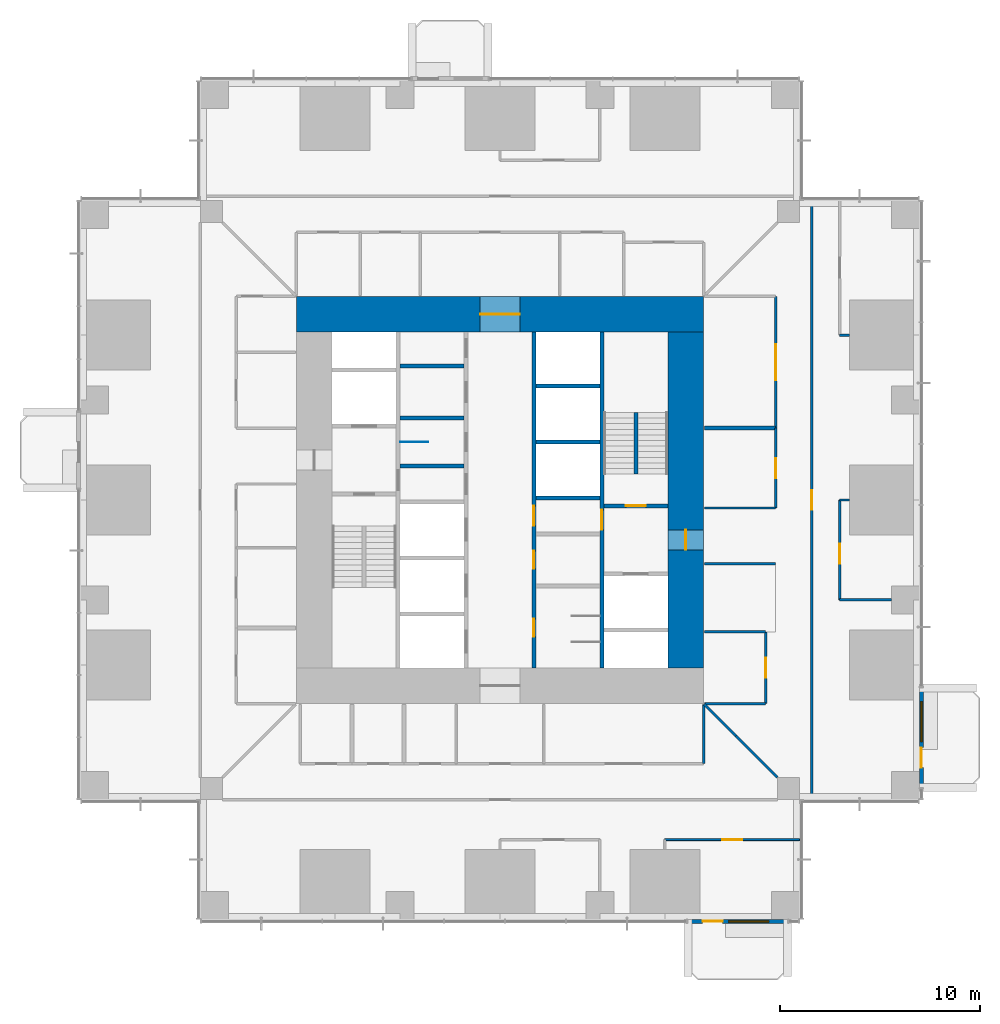
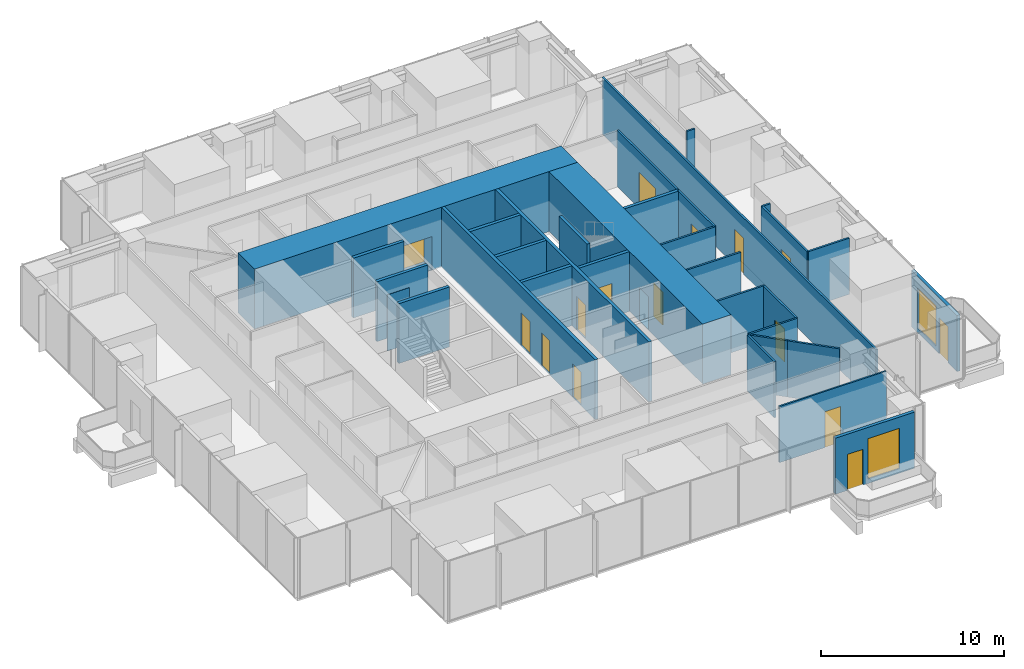
# One storey, part 11 of 15: 32 walls, 15 doors, 2 windows, 17 openings.
"""IFC4 building model written with IfcOpenShell, lengths in metres."""

from ifc_helpers import new_model, si_unit, direction, frame, frame_2d, origin, place, context, subcontext, project, spatial, rectangle, extrude, material, layer, layer_set, type_object, element, fill, save


model = new_model("IFC4")

# Units and contexts
model_context = context("Model", 3, precision=1e-05, world=origin(), true_north=direction((0.0, 1.0)))
body_context = subcontext(model_context, "Body", "Model", "MODEL_VIEW")
ifc_project = project(units=[si_unit("LENGTHUNIT", "METRE"), si_unit("AREAUNIT", "SQUARE_METRE"), si_unit("VOLUMEUNIT", "CUBIC_METRE"), si_unit("PLANEANGLEUNIT", "RADIAN"), si_unit("MASSUNIT", "GRAM", prefix="KILO")], contexts=[model_context])

# Site, building, storey
site_placement = place(None, origin())
site = spatial("IfcSite", under=ifc_project, at=site_placement, CompositionType="ELEMENT")
building_placement = place(site_placement, origin())
building = spatial("IfcBuilding", under=site, at=building_placement, Name="Svetlomir Tower", CompositionType="ELEMENT")
storey_placement = place(building_placement, frame((0.0, 0.0, 66.5)))
storey = spatial("IfcBuildingStorey", under=building, at=storey_placement, Name="L15", CompositionType="ELEMENT", Elevation=66.5)

# Wall
ifc_material_1 = material(Name="Gypsum board on twin steel studs", Category="steel")
ifc_layer_1 = layer(ifc_material_1, 0.199951171875)
ifc_layer_set_1 = layer_set([ifc_layer_1], Name="Gypsum board on twin steel studs")
wall_type_1 = type_object("IfcWallType", Name="ACOUSTIC PARTITION 200", PredefinedType="PARTITIONING", material=ifc_layer_set_1)
wall_1_placement = place(storey_placement, frame((31.25, 24.60009765625, 0.0), z_axis=(0.0, 0.0, 1.0), x_axis=(1.0, 0.0, 0.0)))
element("IfcWall", 1, at=wall_1_placement, inside=storey, type_object=wall_type_1, Name="Acoustic partition L15", PredefinedType="PARTITIONING", context=body_context, shape_type="SweptSolid", body=[
    extrude(rectangle(XDim=3.550048828125, YDim=0.199951171875, at=frame_2d((1.77490234375, 0.0))), origin(), (0.0, 0.0, 1.0), 3.75),
])

# Wall, openings, door, window
ifc_material_2 = material(Name="Bronze anodised aluminium glazed screen", Category="aluminium")
ifc_layer_2 = layer(ifc_material_2, 0.199951171875)
ifc_layer_set_2 = layer_set([ifc_layer_2], Name="Bronze anodised aluminium glazed screen")
wall_type_2 = type_object("IfcWallType", Name="BALCONY SCREEN WALL 200", PredefinedType="USERDEFINED", material=ifc_layer_set_2)
wall_2_placement = place(storey_placement, frame((30.39990234375, -0.10009765625, 0.0), z_axis=(0.0, 0.0, 1.0), x_axis=(1.0, 0.0, 0.0)))
wall_2 = element("IfcWall", 2, at=wall_2_placement, inside=storey, type_object=wall_type_2, Name="Balcony screen S", ObjectType="GLAZED SCREEN", PredefinedType="USERDEFINED", context=body_context, shape_type="SweptSolid", body=[
    extrude(rectangle(XDim=5.0, YDim=0.199951171875, at=frame_2d((2.5, 0.0))), origin(), (0.0, 0.0, 1.0), 3.75),
])
opening_1_placement = place(wall_2_placement, frame((0.75, 0.0, 0.0)))
opening_1 = element("IfcOpeningElement", 3, at=opening_1_placement, cuts=wall_2, Name="Opening BD", PredefinedType="OPENING", context=body_context, shape_type="SweptSolid", body=[
    extrude(rectangle(XDim=1.0, YDim=2.39990234375, at=frame_2d((0.5, 1.199951171875))), frame((0.0, 0.10986328125, 0.0), z_axis=(0.0, -1.0, 0.0), x_axis=(1.0, 0.0, 0.0)), (0.0, 0.0, 1.0), 0.219970703125),
])
opening_2_placement = place(wall_2_placement, frame((2.050048828125, 0.0, 0.300048828125)))
opening_2 = element("IfcOpeningElement", 4, at=opening_2_placement, cuts=wall_2, Name="Opening WS", PredefinedType="OPENING", context=body_context, shape_type="SweptSolid", body=[
    extrude(rectangle(XDim=2.0, YDim=2.699951171875, at=frame_2d((1.0, 1.35009765625))), frame((0.0, 0.10986328125, 0.0), z_axis=(0.0, -1.0, 0.0), x_axis=(1.0, 0.0, 0.0)), (0.0, 0.0, 1.0), 0.219970703125),
])
ifc_material_3 = material(Name="Bronze anodised aluminium glazed door", Category="aluminium")
door_type_1 = type_object("IfcDoorType", Name="BALCONY DOOR BD 1000x2400", OperationType="SINGLE_SWING_LEFT", PredefinedType="DOOR", material=ifc_material_3)
door_1_placement = place(opening_1_placement, origin())
door_1 = element("IfcDoor", 5, at=door_1_placement, inside=storey, type_object=door_type_1, Name="Balcony screen S door", OperationType="SINGLE_SWING_LEFT", OverallHeight=2.39990234375, OverallWidth=1.0, PredefinedType="DOOR", context=body_context, shape_type="SweptSolid", body=[
    extrude(rectangle(XDim=1.0, YDim=2.39990234375, at=frame_2d((0.5, 1.199951171875))), frame((0.0, 0.02490234375, 0.0), z_axis=(0.0, -1.0, 0.0), x_axis=(1.0, 0.0, 0.0)), (0.0, 0.0, 1.0), 0.050048828125),
])
fill(opening_1, door_1)
ifc_material_4 = material(Name="Bronze anodised aluminium window", Category="aluminium")
window_type = type_object("IfcWindowType", Name="SCREEN WINDOW WS 2000x2700", PartitioningType="SINGLE_PANEL", PredefinedType="WINDOW", material=ifc_material_4)
window_1_placement = place(opening_2_placement, origin())
window_1 = element("IfcWindow", 6, at=window_1_placement, inside=storey, type_object=window_type, Name="Balcony screen S window 1", OverallHeight=2.699951171875, OverallWidth=2.0, PartitioningType="SINGLE_PANEL", PredefinedType="WINDOW", context=body_context, shape_type="SweptSolid", body=[
    extrude(rectangle(XDim=2.0, YDim=2.699951171875, at=frame_2d((1.0, 1.35009765625))), frame((0.0, 0.030029296875, 0.0), z_axis=(0.0, -1.0, 0.0), x_axis=(1.0, 0.0, 0.0)), (0.0, 0.0, 1.0), 0.06005859375),
])
fill(opening_2, window_1)

wall_3_placement = place(storey_placement, frame((42.10009765625, 6.60009765625, 0.0), z_axis=(0.0, 0.0, 1.0), x_axis=(0.0, 1.0, 0.0)))
wall_3 = element("IfcWall", 7, at=wall_3_placement, inside=storey, type_object=wall_type_2, Name="Balcony screen E", ObjectType="GLAZED SCREEN", PredefinedType="USERDEFINED", context=body_context, shape_type="SweptSolid", body=[
    extrude(rectangle(XDim=5.0, YDim=0.199951171875, at=frame_2d((2.5, 0.0))), origin(), (0.0, 0.0, 1.0), 3.75),
])
opening_3_placement = place(wall_3_placement, frame((1.0, 0.0, 0.0)))
opening_3 = element("IfcOpeningElement", 8, at=opening_3_placement, cuts=wall_3, Name="Opening BD", PredefinedType="OPENING", context=body_context, shape_type="SweptSolid", body=[
    extrude(rectangle(XDim=1.0, YDim=2.39990234375, at=frame_2d((0.5, 1.199951171875))), frame((0.0, 0.10986328125, 0.0), z_axis=(0.0, -1.0, 0.0), x_axis=(1.0, 0.0, 0.0)), (0.0, 0.0, 1.0), 0.219970703125),
])
opening_4_placement = place(wall_3_placement, frame((2.300048828125, 0.0, 0.300048828125)))
opening_4 = element("IfcOpeningElement", 9, at=opening_4_placement, cuts=wall_3, Name="Opening WS", PredefinedType="OPENING", context=body_context, shape_type="SweptSolid", body=[
    extrude(rectangle(XDim=2.0, YDim=2.699951171875, at=frame_2d((1.0, 1.35009765625))), frame((0.0, 0.10986328125, 0.0), z_axis=(0.0, -1.0, 0.0), x_axis=(1.0, 0.0, 0.0)), (0.0, 0.0, 1.0), 0.219970703125),
])
door_2_placement = place(opening_3_placement, origin())
door_2 = element("IfcDoor", 10, at=door_2_placement, inside=storey, type_object=door_type_1, Name="Balcony screen E door", OperationType="SINGLE_SWING_LEFT", OverallHeight=2.39990234375, OverallWidth=1.0, PredefinedType="DOOR", context=body_context, shape_type="SweptSolid", body=[
    extrude(rectangle(XDim=1.0, YDim=2.39990234375, at=frame_2d((0.5, 1.199951171875))), frame((0.0, 0.02490234375, 0.0), z_axis=(0.0, -1.0, 0.0), x_axis=(1.0, 0.0, 0.0)), (0.0, 0.0, 1.0), 0.050048828125),
])
fill(opening_3, door_2)
window_2_placement = place(opening_4_placement, origin())
window_2 = element("IfcWindow", 11, at=window_2_placement, inside=storey, type_object=window_type, Name="Balcony screen E window 1", OverallHeight=2.699951171875, OverallWidth=2.0, PartitioningType="SINGLE_PANEL", PredefinedType="WINDOW", context=body_context, shape_type="SweptSolid", body=[
    extrude(rectangle(XDim=2.0, YDim=2.699951171875, at=frame_2d((1.0, 1.35009765625))), frame((0.0, 0.030029296875, 0.0), z_axis=(0.0, -1.0, 0.0), x_axis=(1.0, 0.0, 0.0)), (0.0, 0.0, 1.0), 0.06005859375),
])
fill(opening_4, window_2)

# Wall, openings, doors
ifc_material_5 = material(Name="Concrete C60/75", Category="concrete")
ifc_layer_3 = layer(ifc_material_5, 0.199951171875)
ifc_layer_set_3 = layer_set([ifc_layer_3], Name="Concrete C60/75")
wall_type_3 = type_object("IfcWallType", Name="CORE INNER WALL 200", PredefinedType="SHEAR", material=ifc_layer_set_3)
wall_4_placement = place(storey_placement, frame((22.699951171875, 12.60009765625, -0.050048828125), z_axis=(0.0, 0.0, 1.0), x_axis=(0.0, 1.0, 0.0)))
wall_4 = element("IfcWall", 12, at=wall_4_placement, inside=storey, type_object=wall_type_3, Name="Core inner wall 22.7 L15", PredefinedType="SHEAR", context=body_context, shape_type="SweptSolid", body=[
    extrude(rectangle(XDim=16.7998046875, YDim=0.199951171875, at=frame_2d((8.39990234375, 0.0))), origin(), (0.0, 0.0, 1.0), 4.0),
])
opening_5_placement = place(wall_4_placement, frame((7.10009765625, 0.0, 0.050048828125)))
opening_5 = element("IfcOpeningElement", 13, at=opening_5_placement, cuts=wall_4, Name="Opening DC", PredefinedType="OPENING", context=body_context, shape_type="SweptSolid", body=[
    extrude(rectangle(XDim=1.0, YDim=2.199951171875, at=frame_2d((0.5, 1.10009765625))), frame((0.0, 0.10986328125, 0.0), z_axis=(0.0, -1.0, 0.0), x_axis=(1.0, 0.0, 0.0)), (0.0, 0.0, 1.0), 0.219970703125),
])
opening_6_placement = place(wall_4_placement, frame((1.550048828125, 0.0, 0.050048828125)))
opening_6 = element("IfcOpeningElement", 14, at=opening_6_placement, cuts=wall_4, Name="Opening DW", PredefinedType="OPENING", context=body_context, shape_type="SweptSolid", body=[
    extrude(rectangle(XDim=0.89990234375, YDim=2.199951171875, at=frame_2d((0.449951171875, 1.10009765625))), frame((0.0, 0.10986328125, 0.0), z_axis=(0.0, -1.0, 0.0), x_axis=(1.0, 0.0, 0.0)), (0.0, 0.0, 1.0), 0.219970703125),
])
opening_7_placement = place(wall_4_placement, frame((4.949951171875, 0.0, 0.050048828125)))
opening_7 = element("IfcOpeningElement", 15, at=opening_7_placement, cuts=wall_4, Name="Opening DW", PredefinedType="OPENING", context=body_context, shape_type="SweptSolid", body=[
    extrude(rectangle(XDim=0.89990234375, YDim=2.199951171875, at=frame_2d((0.449951171875, 1.10009765625))), frame((0.0, 0.10986328125, 0.0), z_axis=(0.0, -1.0, 0.0), x_axis=(1.0, 0.0, 0.0)), (0.0, 0.0, 1.0), 0.219970703125),
])
ifc_material_6 = material(Name="Timber fire door", Category="wood")
door_type_2 = type_object("IfcDoorType", Name="DOOR DC 1000x2200", OperationType="SINGLE_SWING_LEFT", PredefinedType="DOOR", material=ifc_material_6)
door_3_placement = place(opening_5_placement, origin())
door_3 = element("IfcDoor", 16, at=door_3_placement, inside=storey, type_object=door_type_2, Name="Core corridor east lobby door L15", OperationType="SINGLE_SWING_RIGHT", OverallHeight=2.199951171875, OverallWidth=1.0, PredefinedType="DOOR", context=body_context, shape_type="SweptSolid", body=[
    extrude(rectangle(XDim=1.0, YDim=2.199951171875, at=frame_2d((0.5, 1.10009765625))), frame((0.0, 0.02490234375, 0.0), z_axis=(0.0, -1.0, 0.0), x_axis=(1.0, 0.0, 0.0)), (0.0, 0.0, 1.0), 0.050048828125),
])
fill(opening_5, door_3)
ifc_material_7 = material(Name="Timber fire door", Category="wood")
door_type_3 = type_object("IfcDoorType", Name="DOOR DW 900x2200", OperationType="SINGLE_SWING_LEFT", PredefinedType="DOOR", material=ifc_material_7)
door_4_placement = place(opening_6_placement, origin())
door_4 = element("IfcDoor", 17, at=door_4_placement, inside=storey, type_object=door_type_3, Name="Male WC door L15", OperationType="SINGLE_SWING_RIGHT", OverallHeight=2.199951171875, OverallWidth=0.89990234375, PredefinedType="DOOR", context=body_context, shape_type="SweptSolid", body=[
    extrude(rectangle(XDim=0.89990234375, YDim=2.199951171875, at=frame_2d((0.449951171875, 1.10009765625))), frame((0.0, 0.02490234375, 0.0), z_axis=(0.0, -1.0, 0.0), x_axis=(1.0, 0.0, 0.0)), (0.0, 0.0, 1.0), 0.050048828125),
])
fill(opening_6, door_4)
door_5_placement = place(opening_7_placement, origin())
door_5 = element("IfcDoor", 18, at=door_5_placement, inside=storey, type_object=door_type_3, Name="Comms room door L15", OperationType="SINGLE_SWING_LEFT", OverallHeight=2.199951171875, OverallWidth=0.89990234375, PredefinedType="DOOR", context=body_context, shape_type="SweptSolid", body=[
    extrude(rectangle(XDim=0.89990234375, YDim=2.199951171875, at=frame_2d((0.449951171875, 1.10009765625))), frame((0.0, 0.02490234375, 0.0), z_axis=(0.0, -1.0, 0.0), x_axis=(1.0, 0.0, 0.0)), (0.0, 0.0, 1.0), 0.050048828125),
])
fill(opening_7, door_5)

# Wall, opening, door
wall_5_placement = place(storey_placement, frame((26.10009765625, 12.60009765625, -0.050048828125), z_axis=(0.0, 0.0, 1.0), x_axis=(0.0, 1.0, 0.0)))
wall_5 = element("IfcWall", 19, at=wall_5_placement, inside=storey, type_object=wall_type_3, Name="Core inner wall 26.1 L15", PredefinedType="SHEAR", context=body_context, shape_type="SweptSolid", body=[
    extrude(rectangle(XDim=16.7998046875, YDim=0.199951171875, at=frame_2d((8.39990234375, 0.0))), origin(), (0.0, 0.0, 1.0), 4.0),
])
opening_8_placement = place(wall_5_placement, frame((6.89990234375, 0.0, 0.050048828125)))
opening_8 = element("IfcOpeningElement", 20, at=opening_8_placement, cuts=wall_5, Name="Opening DF", PredefinedType="OPENING", context=body_context, shape_type="SweptSolid", body=[
    extrude(rectangle(XDim=1.0, YDim=2.199951171875, at=frame_2d((0.5, 1.10009765625))), frame((0.0, 0.10986328125, 0.0), z_axis=(0.0, -1.0, 0.0), x_axis=(1.0, 0.0, 0.0)), (0.0, 0.0, 1.0), 0.219970703125),
])
ifc_material_8 = material(Name="Steel fire door", Category="steel")
door_type_4 = type_object("IfcDoorType", Name="DOOR DF 1000x2200", OperationType="SINGLE_SWING_LEFT", PredefinedType="DOOR", material=ifc_material_8)
door_6_placement = place(opening_8_placement, origin())
door_6 = element("IfcDoor", 21, at=door_6_placement, inside=storey, type_object=door_type_4, Name="Core corridor east door L15", OperationType="SINGLE_SWING_LEFT", OverallHeight=2.199951171875, OverallWidth=1.0, PredefinedType="DOOR", context=body_context, shape_type="SweptSolid", body=[
    extrude(rectangle(XDim=1.0, YDim=2.199951171875, at=frame_2d((0.5, 1.10009765625))), frame((0.0, 0.02490234375, 0.0), z_axis=(0.0, -1.0, 0.0), x_axis=(1.0, 0.0, 0.0)), (0.0, 0.0, 1.0), 0.050048828125),
])
fill(opening_8, door_6)

# Walls
for number, where, z_axis, x_axis, name in (
    (22, (16.0, 22.699951171875, -0.050048828125), (0.0, 0.0, 1.0), (1.0, 0.0, 0.0), "Core inner wall 16-19.2/22.7 L15"),
    (23, (16.0, 25.10009765625, -0.050048828125), (0.0, 0.0, 1.0), (1.0, 0.0, 0.0), "Core inner wall 16-19.2/25.1 L15"),
    (24, (16.0, 27.699951171875, -0.050048828125), (0.0, 0.0, 1.0), (1.0, 0.0, 0.0), "Core inner wall 16-19.2/27.7 L15"),
    (25, (22.800048828125, 21.10009765625, -0.050048828125), (0.0, 0.0, 1.0), (1.0, 0.0, 0.0), "Core inner wall 22.8-26/21.1 L15"),
    (26, (22.800048828125, 23.89990234375, -0.050048828125), (0.0, 0.0, 1.0), (1.0, 0.0, 0.0), "Core inner wall 22.8-26/23.9 L15"),
    (27, (22.800048828125, 26.699951171875, -0.050048828125), (0.0, 0.0, 1.0), (1.0, 0.0, 0.0), "Core inner wall 22.8-26/26.7 L15"),
):
    element("IfcWall", number, at=place(storey_placement, frame(where, z_axis=z_axis, x_axis=x_axis)), inside=storey, type_object=wall_type_3, Name=name, PredefinedType="SHEAR", context=body_context, shape_type="SweptSolid", body=[
        extrude(rectangle(XDim=3.199951171875, YDim=0.199951171875, at=frame_2d((1.60009765625, 0.0))), origin(), (0.0, 0.0, 1.0), 4.0),
    ])

# Wall, opening, door
wall_6_placement = place(storey_placement, frame((26.199951171875, 20.699951171875, -0.050048828125), z_axis=(0.0, 0.0, 1.0), x_axis=(1.0, 0.0, 0.0)))
wall_6 = element("IfcWall", 28, at=wall_6_placement, inside=storey, type_object=wall_type_3, Name="Core inner wall 26.2-29.4/20.7 L15", PredefinedType="SHEAR", context=body_context, shape_type="SweptSolid", body=[
    extrude(rectangle(XDim=3.199951171875, YDim=0.199951171875, at=frame_2d((1.60009765625, 0.0))), origin(), (0.0, 0.0, 1.0), 4.0),
])
opening_9_placement = place(wall_6_placement, frame((1.10009765625, 0.0, 0.050048828125)))
opening_9 = element("IfcOpeningElement", 29, at=opening_9_placement, cuts=wall_6, Name="Opening DF", PredefinedType="OPENING", context=body_context, shape_type="SweptSolid", body=[
    extrude(rectangle(XDim=1.0, YDim=2.199951171875, at=frame_2d((0.5, 1.10009765625))), frame((0.0, 0.10986328125, 0.0), z_axis=(0.0, -1.0, 0.0), x_axis=(1.0, 0.0, 0.0)), (0.0, 0.0, 1.0), 0.219970703125),
])
door_7_placement = place(opening_9_placement, origin())
door_7 = element("IfcDoor", 30, at=door_7_placement, inside=storey, type_object=door_type_4, Name="Stair S2 door L15", OperationType="SINGLE_SWING_RIGHT", OverallHeight=2.199951171875, OverallWidth=1.0, PredefinedType="DOOR", context=body_context, shape_type="SweptSolid", body=[
    extrude(rectangle(XDim=1.0, YDim=2.199951171875, at=frame_2d((0.5, 1.10009765625))), frame((0.0, 0.02490234375, 0.0), z_axis=(0.0, -1.0, 0.0), x_axis=(1.0, 0.0, 0.0)), (0.0, 0.0, 1.0), 0.050048828125),
])
fill(opening_9, door_7)

ifc_material_9 = material(Name="Concrete C60/75", Category="concrete")
ifc_layer_4 = layer(ifc_material_9, 1.800048828125)
ifc_layer_set_4 = layer_set([ifc_layer_4], Name="Concrete C60/75")
wall_type_4 = type_object("IfcWallType", Name="CORE WALL 1800", PredefinedType="SHEAR", material=ifc_layer_set_4)
wall_7_placement = place(storey_placement, frame((10.800048828125, 30.300048828125, -0.050048828125), z_axis=(0.0, 0.0, 1.0), x_axis=(1.0, 0.0, 0.0)))
wall_7 = element("IfcWall", 31, at=wall_7_placement, inside=storey, type_object=wall_type_4, Name="Core wall north L15", PredefinedType="SHEAR", context=body_context, shape_type="SweptSolid", body=[
    extrude(rectangle(XDim=20.39990234375, YDim=1.800048828125, at=frame_2d((10.199951171875, 0.0))), origin(), (0.0, 0.0, 1.0), 4.0),
])
opening_10_placement = place(wall_7_placement, frame((9.199951171875, 0.0, 0.050048828125)))
opening_10 = element("IfcOpeningElement", 32, at=opening_10_placement, cuts=wall_7, Name="Opening DL", PredefinedType="OPENING", context=body_context, shape_type="SweptSolid", body=[
    extrude(rectangle(XDim=2.0, YDim=2.199951171875, at=frame_2d((1.0, 1.10009765625))), frame((0.0, 0.91015625, 0.0), z_axis=(0.0, -1.0, 0.0), x_axis=(1.0, 0.0, 0.0)), (0.0, 0.0, 1.0), 1.820068359375),
])
ifc_material_10 = material(Name="Steel fire door", Category="steel")
door_type_5 = type_object("IfcDoorType", Name="DOOR DL 2000x2200", OperationType="DOUBLE_DOOR_SINGLE_SWING", PredefinedType="DOOR", material=ifc_material_10)
door_8_placement = place(opening_10_placement, origin())
door_8 = element("IfcDoor", 33, at=door_8_placement, inside=storey, type_object=door_type_5, Name="Lift lobby north door L15", OperationType="DOUBLE_DOOR_SINGLE_SWING", OverallHeight=2.199951171875, OverallWidth=2.0, PredefinedType="DOOR", context=body_context, shape_type="SweptSolid", body=[
    extrude(rectangle(XDim=2.0, YDim=2.199951171875, at=frame_2d((1.0, 1.10009765625))), frame((0.0, 0.02490234375, 0.0), z_axis=(0.0, -1.0, 0.0), x_axis=(1.0, 0.0, 0.0)), (0.0, 0.0, 1.0), 0.050048828125),
])
fill(opening_10, door_8)

wall_8_placement = place(storey_placement, frame((30.300048828125, 12.60009765625, -0.050048828125), z_axis=(0.0, 0.0, 1.0), x_axis=(0.0, 1.0, 0.0)))
wall_8 = element("IfcWall", 34, at=wall_8_placement, inside=storey, type_object=wall_type_4, Name="Core wall east L15", PredefinedType="SHEAR", context=body_context, shape_type="SweptSolid", body=[
    extrude(rectangle(XDim=16.7998046875, YDim=1.800048828125, at=frame_2d((8.39990234375, 0.0))), origin(), (0.0, 0.0, 1.0), 4.0),
])
opening_11_placement = place(wall_8_placement, frame((5.89990234375, 0.0, 0.050048828125)))
opening_11 = element("IfcOpeningElement", 35, at=opening_11_placement, cuts=wall_8, Name="Opening DF", PredefinedType="OPENING", context=body_context, shape_type="SweptSolid", body=[
    extrude(rectangle(XDim=1.0, YDim=2.199951171875, at=frame_2d((0.5, 1.10009765625))), frame((0.0, 0.91015625, 0.0), z_axis=(0.0, -1.0, 0.0), x_axis=(1.0, 0.0, 0.0)), (0.0, 0.0, 1.0), 1.820068359375),
])
door_9_placement = place(opening_11_placement, origin())
door_9 = element("IfcDoor", 36, at=door_9_placement, inside=storey, type_object=door_type_4, Name="Firefighting lobby east door L15", OperationType="SINGLE_SWING_RIGHT", OverallHeight=2.199951171875, OverallWidth=1.0, PredefinedType="DOOR", context=body_context, shape_type="SweptSolid", body=[
    extrude(rectangle(XDim=1.0, YDim=2.199951171875, at=frame_2d((0.5, 1.10009765625))), frame((0.0, 0.02490234375, 0.0), z_axis=(0.0, -1.0, 0.0), x_axis=(1.0, 0.0, 0.0)), (0.0, 0.0, 1.0), 0.050048828125),
])
fill(opening_11, door_9)

ifc_material_11 = material(Name="Framed laminated glass partition", Category="glass")
ifc_layer_5 = layer(ifc_material_11, 0.10009765625)
ifc_layer_set_5 = layer_set([ifc_layer_5], Name="Framed laminated glass partition")
wall_type_5 = type_object("IfcWallType", Name="GLAZED PARTITION 100", PredefinedType="PARTITIONING", material=ifc_layer_set_5)
wall_9_placement = place(storey_placement, frame((29.25, 4.0, 0.0), z_axis=(0.0, 0.0, 1.0), x_axis=(1.0, 0.0, 0.0)))
wall_9 = element("IfcWall", 37, at=wall_9_placement, inside=storey, type_object=wall_type_5, Name="Glazed partition L15", PredefinedType="PARTITIONING", context=body_context, shape_type="SweptSolid", body=[
    extrude(rectangle(XDim=6.75, YDim=0.10009765625, at=frame_2d((3.375, 0.0))), origin(), (0.0, 0.0, 1.0), 3.75),
])
opening_12_placement = place(wall_9_placement, frame((2.875, 0.0, 0.0)))
opening_12 = element("IfcOpeningElement", 38, at=opening_12_placement, cuts=wall_9, Name="Opening DG", PredefinedType="OPENING", context=body_context, shape_type="SweptSolid", body=[
    extrude(rectangle(XDim=1.0, YDim=2.39990234375, at=frame_2d((0.5, 1.199951171875))), frame((0.0, 0.06005859375, 0.0), z_axis=(0.0, -1.0, 0.0), x_axis=(1.0, 0.0, 0.0)), (0.0, 0.0, 1.0), 0.1201171875),
])
ifc_material_12 = material(Name="Framed laminated glass door", Category="glass")
door_type_6 = type_object("IfcDoorType", Name="GLAZED DOOR DG 1000x2400", OperationType="SINGLE_SWING_LEFT", PredefinedType="DOOR", material=ifc_material_12)
door_10_placement = place(opening_12_placement, origin())
door_10 = element("IfcDoor", 39, at=door_10_placement, inside=storey, type_object=door_type_6, Name="Staff break-out and kitchenette door L15", OperationType="SINGLE_SWING_LEFT", OverallHeight=2.39990234375, OverallWidth=1.0, PredefinedType="DOOR", context=body_context, shape_type="SweptSolid", body=[
    extrude(rectangle(XDim=1.0, YDim=2.39990234375, at=frame_2d((0.5, 1.199951171875))), frame((0.0, 0.02490234375, 0.0), z_axis=(0.0, -1.0, 0.0), x_axis=(1.0, 0.0, 0.0)), (0.0, 0.0, 1.0), 0.050048828125),
])
fill(opening_12, door_10)

# Walls
ifc_material_13 = material(Name="Gypsum board on steel studs", Category="steel")
ifc_layer_6 = layer(ifc_material_13, 0.1201171875)
ifc_layer_set_6 = layer_set([ifc_layer_6], Name="Gypsum board on steel studs")
wall_type_6 = type_object("IfcWallType", Name="PARTITION 120", PredefinedType="PARTITIONING", material=ifc_layer_set_6)
wall_10_placement = place(storey_placement, frame((31.199951171875, 7.800048828125, 0.0), z_axis=(0.0, 0.0, 1.0), x_axis=(0.0, 1.0, 0.0)))
element("IfcWall", 40, at=wall_10_placement, inside=storey, type_object=wall_type_6, Name="Partition L15", PredefinedType="PARTITIONING", context=body_context, shape_type="SweptSolid", body=[
    extrude(rectangle(XDim=2.949951171875, YDim=0.1201171875, at=frame_2d((1.47509765625, 0.0))), origin(), (0.0, 0.0, 1.0), 3.75),
])
wall_11_placement = place(storey_placement, frame((31.2353515625, 10.7646484375, 0.0), z_axis=(0.0, 0.0, 1.0), x_axis=(0.707106781187, -0.707106781187, 0.0)))
element("IfcWall", 41, at=wall_11_placement, inside=storey, type_object=wall_type_6, Name="Partition L15", PredefinedType="PARTITIONING", context=body_context, shape_type="SweptSolid", body=[
    extrude(rectangle(XDim=2.21826171875, YDim=0.1201171875, at=frame_2d((1.109130859375, 0.0))), origin(), (0.0, 0.0, 1.0), 3.75),
])
for number, where, z_axis, x_axis, name in (
    (42, (31.25, 10.800048828125, 0.0), (0.0, 0.0, 1.0), (1.0, 0.0, 0.0), "Partition L15"),
    (43, (31.25, 14.39990234375, 0.0), (0.0, 0.0, 1.0), (1.0, 0.0, 0.0), "Partition L15"),
):
    element("IfcWall", number, at=place(storey_placement, frame(where, z_axis=z_axis, x_axis=x_axis)), inside=storey, type_object=wall_type_6, Name=name, PredefinedType="PARTITIONING", context=body_context, shape_type="SweptSolid", body=[
        extrude(rectangle(XDim=3.050048828125, YDim=0.1201171875, at=frame_2d((1.52490234375, 0.0))), origin(), (0.0, 0.0, 1.0), 3.75),
    ])
for number, where, z_axis, x_axis, name in (
    (44, (31.25, 17.800048828125, 0.0), (0.0, 0.0, 1.0), (1.0, 0.0, 0.0), "Partition L15"),
    (45, (31.25, 20.60009765625, 0.0), (0.0, 0.0, 1.0), (1.0, 0.0, 0.0), "Partition L15"),
):
    element("IfcWall", number, at=place(storey_placement, frame(where, z_axis=z_axis, x_axis=x_axis)), inside=storey, type_object=wall_type_6, Name=name, PredefinedType="PARTITIONING", context=body_context, shape_type="SweptSolid", body=[
        extrude(rectangle(XDim=3.550048828125, YDim=0.1201171875, at=frame_2d((1.77490234375, 0.0))), origin(), (0.0, 0.0, 1.0), 3.75),
    ])
wall_12_placement = place(storey_placement, frame((32.803955078125, 9.196044921875, 0.0), z_axis=(0.0, 0.0, 1.0), x_axis=(0.707106781187, -0.707106781187, 0.0)))
element("IfcWall", 46, at=wall_12_placement, inside=storey, type_object=wall_type_6, Name="Partition L15", PredefinedType="PARTITIONING", context=body_context, shape_type="SweptSolid", body=[
    extrude(rectangle(XDim=2.949951171875, YDim=0.1201171875, at=frame_2d((1.47509765625, 0.0))), origin(), (0.0, 0.0, 1.0), 3.75),
])

# Wall, opening, door
wall_13_placement = place(storey_placement, frame((34.300048828125, 10.800048828125, 0.0), z_axis=(0.0, 0.0, 1.0), x_axis=(0.0, 1.0, 0.0)))
wall_13 = element("IfcWall", 47, at=wall_13_placement, inside=storey, type_object=wall_type_6, Name="Partition L15", PredefinedType="PARTITIONING", context=body_context, shape_type="SweptSolid", body=[
    extrude(rectangle(XDim=3.599853515625, YDim=0.1201171875, at=frame_2d((1.7998046875, 0.0))), origin(), (0.0, 0.0, 1.0), 3.75),
])
opening_13_placement = place(wall_13_placement, frame((1.300048828125, 0.0, 0.0)))
opening_13 = element("IfcOpeningElement", 48, at=opening_13_placement, cuts=wall_13, Name="Opening DR", PredefinedType="OPENING", context=body_context, shape_type="SweptSolid", body=[
    extrude(rectangle(XDim=1.0, YDim=2.199951171875, at=frame_2d((0.5, 1.10009765625))), frame((0.0, 0.070068359375, 0.0), z_axis=(0.0, -1.0, 0.0), x_axis=(1.0, 0.0, 0.0)), (0.0, 0.0, 1.0), 0.14013671875),
])
ifc_material_14 = material(Name="Timber door, glazed side light", Category="wood")
door_type_7 = type_object("IfcDoorType", Name="DOOR DR 1000x2200", OperationType="SINGLE_SWING_LEFT", PredefinedType="DOOR", material=ifc_material_14)
door_11_placement = place(opening_13_placement, origin())
door_11 = element("IfcDoor", 49, at=door_11_placement, inside=storey, type_object=door_type_7, Name="Personnel records room door L15", OperationType="SINGLE_SWING_RIGHT", OverallHeight=2.199951171875, OverallWidth=1.0, PredefinedType="DOOR", context=body_context, shape_type="SweptSolid", body=[
    extrude(rectangle(XDim=1.0, YDim=2.199951171875, at=frame_2d((0.5, 1.10009765625))), frame((0.0, 0.02490234375, 0.0), z_axis=(0.0, -1.0, 0.0), x_axis=(1.0, 0.0, 0.0)), (0.0, 0.0, 1.0), 0.050048828125),
])
fill(opening_13, door_11)

wall_14_placement = place(storey_placement, frame((34.800048828125, 20.60009765625, 0.0), z_axis=(0.0, 0.0, 1.0), x_axis=(0.0, 1.0, 0.0)))
wall_14 = element("IfcWall", 50, at=wall_14_placement, inside=storey, type_object=wall_type_6, Name="Partition L15", PredefinedType="PARTITIONING", context=body_context, shape_type="SweptSolid", body=[
    extrude(rectangle(XDim=4.0, YDim=0.1201171875, at=frame_2d((2.0, 0.0))), origin(), (0.0, 0.0, 1.0), 3.75),
])
opening_14_placement = place(wall_14_placement, frame((1.5, 0.0, 0.0)))
opening_14 = element("IfcOpeningElement", 51, at=opening_14_placement, cuts=wall_14, Name="Opening DG", PredefinedType="OPENING", context=body_context, shape_type="SweptSolid", body=[
    extrude(rectangle(XDim=1.0, YDim=2.39990234375, at=frame_2d((0.5, 1.199951171875))), frame((0.0, 0.070068359375, 0.0), z_axis=(0.0, -1.0, 0.0), x_axis=(1.0, 0.0, 0.0)), (0.0, 0.0, 1.0), 0.14013671875),
])
door_12_placement = place(opening_14_placement, origin())
door_12 = element("IfcDoor", 52, at=door_12_placement, inside=storey, type_object=door_type_6, Name="Meeting room, 6 seats door L15", OperationType="SINGLE_SWING_LEFT", OverallHeight=2.39990234375, OverallWidth=1.0, PredefinedType="DOOR", context=body_context, shape_type="SweptSolid", body=[
    extrude(rectangle(XDim=1.0, YDim=2.39990234375, at=frame_2d((0.5, 1.199951171875))), frame((0.0, 0.02490234375, 0.0), z_axis=(0.0, -1.0, 0.0), x_axis=(1.0, 0.0, 0.0)), (0.0, 0.0, 1.0), 0.050048828125),
])
fill(opening_14, door_12)

wall_15_placement = place(storey_placement, frame((34.800048828125, 24.60009765625, 0.0), z_axis=(0.0, 0.0, 1.0), x_axis=(0.0, 1.0, 0.0)))
wall_15 = element("IfcWall", 53, at=wall_15_placement, inside=storey, type_object=wall_type_6, Name="Partition L15", PredefinedType="PARTITIONING", context=body_context, shape_type="SweptSolid", body=[
    extrude(rectangle(XDim=6.599853515625, YDim=0.1201171875, at=frame_2d((3.2998046875, 0.0))), origin(), (0.0, 0.0, 1.0), 3.75),
])
opening_15_placement = place(wall_15_placement, frame((2.39990234375, 0.0, 0.0)))
opening_15 = element("IfcOpeningElement", 54, at=opening_15_placement, cuts=wall_15, Name="Opening DD", PredefinedType="OPENING", context=body_context, shape_type="SweptSolid", body=[
    extrude(rectangle(XDim=1.800048828125, YDim=2.39990234375, at=frame_2d((0.89990234375, 1.199951171875))), frame((0.0, 0.070068359375, 0.0), z_axis=(0.0, -1.0, 0.0), x_axis=(1.0, 0.0, 0.0)), (0.0, 0.0, 1.0), 0.14013671875),
])
ifc_material_15 = material(Name="Timber door", Category="wood")
door_type_8 = type_object("IfcDoorType", Name="DOOR DD 1800x2400", OperationType="DOUBLE_DOOR_SINGLE_SWING", PredefinedType="DOOR", material=ifc_material_15)
door_13_placement = place(opening_15_placement, origin())
door_13 = element("IfcDoor", 55, at=door_13_placement, inside=storey, type_object=door_type_8, Name="Training room, 18 seats door L15", OperationType="DOUBLE_DOOR_SINGLE_SWING", OverallHeight=2.39990234375, OverallWidth=1.800048828125, PredefinedType="DOOR", context=body_context, shape_type="SweptSolid", body=[
    extrude(rectangle(XDim=1.800048828125, YDim=2.39990234375, at=frame_2d((0.89990234375, 1.199951171875))), frame((0.0, 0.02490234375, 0.0), z_axis=(0.0, -1.0, 0.0), x_axis=(1.0, 0.0, 0.0)), (0.0, 0.0, 1.0), 0.050048828125),
])
fill(opening_15, door_13)

wall_16_placement = place(storey_placement, frame((36.60009765625, 6.0, 0.0), z_axis=(0.0, 0.0, 1.0), x_axis=(0.0, 1.0, 0.0)))
wall_16 = element("IfcWall", 56, at=wall_16_placement, inside=storey, type_object=wall_type_6, Name="Partition L15", PredefinedType="PARTITIONING", context=body_context, shape_type="SweptSolid", body=[
    extrude(rectangle(XDim=30.0, YDim=0.1201171875, at=frame_2d((15.0, 0.0))), origin(), (0.0, 0.0, 1.0), 3.75),
])
opening_16_placement = place(wall_16_placement, frame((14.5, 0.0, 0.0)))
opening_16 = element("IfcOpeningElement", 57, at=opening_16_placement, cuts=wall_16, Name="Opening DG", PredefinedType="OPENING", context=body_context, shape_type="SweptSolid", body=[
    extrude(rectangle(XDim=1.0, YDim=2.39990234375, at=frame_2d((0.5, 1.199951171875))), frame((0.0, 0.070068359375, 0.0), z_axis=(0.0, -1.0, 0.0), x_axis=(1.0, 0.0, 0.0)), (0.0, 0.0, 1.0), 0.14013671875),
])
door_14_placement = place(opening_16_placement, origin())
door_14 = element("IfcDoor", 58, at=door_14_placement, inside=storey, type_object=door_type_6, Name="Ring corridor 2 door 1 L15", OperationType="SINGLE_SWING_LEFT", OverallHeight=2.39990234375, OverallWidth=1.0, PredefinedType="DOOR", context=body_context, shape_type="SweptSolid", body=[
    extrude(rectangle(XDim=1.0, YDim=2.39990234375, at=frame_2d((0.5, 1.199951171875))), frame((0.0, 0.02490234375, 0.0), z_axis=(0.0, -1.0, 0.0), x_axis=(1.0, 0.0, 0.0)), (0.0, 0.0, 1.0), 0.050048828125),
])
fill(opening_16, door_14)

wall_17_placement = place(storey_placement, frame((38.0, 16.0, 0.0), z_axis=(0.0, 0.0, 1.0), x_axis=(0.0, 1.0, 0.0)))
wall_17 = element("IfcWall", 59, at=wall_17_placement, inside=storey, type_object=wall_type_6, Name="Partition L15", PredefinedType="PARTITIONING", context=body_context, shape_type="SweptSolid", body=[
    extrude(rectangle(XDim=5.0, YDim=0.1201171875, at=frame_2d((2.5, 0.0))), origin(), (0.0, 0.0, 1.0), 3.75),
])
opening_17_placement = place(wall_17_placement, frame((1.800048828125, 0.0, 0.0)))
opening_17 = element("IfcOpeningElement", 60, at=opening_17_placement, cuts=wall_17, Name="Opening DR", PredefinedType="OPENING", context=body_context, shape_type="SweptSolid", body=[
    extrude(rectangle(XDim=1.0, YDim=2.199951171875, at=frame_2d((0.5, 1.10009765625))), frame((0.0, 0.070068359375, 0.0), z_axis=(0.0, -1.0, 0.0), x_axis=(1.0, 0.0, 0.0)), (0.0, 0.0, 1.0), 0.14013671875),
])
door_15_placement = place(opening_17_placement, origin())
door_15 = element("IfcDoor", 61, at=door_15_placement, inside=storey, type_object=door_type_7, Name="HR business partner office door L15", OperationType="SINGLE_SWING_LEFT", OverallHeight=2.199951171875, OverallWidth=1.0, PredefinedType="DOOR", context=body_context, shape_type="SweptSolid", body=[
    extrude(rectangle(XDim=1.0, YDim=2.199951171875, at=frame_2d((0.5, 1.10009765625))), frame((0.0, 0.02490234375, 0.0), z_axis=(0.0, -1.0, 0.0), x_axis=(1.0, 0.0, 0.0)), (0.0, 0.0, 1.0), 0.050048828125),
])
fill(opening_17, door_15)

# Walls
wall_18_placement = place(storey_placement, frame((38.0, 16.0, 0.0), z_axis=(0.0, 0.0, 1.0), x_axis=(1.0, 0.0, 0.0)))
element("IfcWall", 62, at=wall_18_placement, inside=storey, type_object=wall_type_6, Name="Partition L15", PredefinedType="PARTITIONING", context=body_context, shape_type="SweptSolid", body=[
    extrude(rectangle(XDim=2.590087890625, YDim=0.1201171875, at=frame_2d((1.294921875, 0.0))), origin(), (0.0, 0.0, 1.0), 3.75),
])
for number, where, z_axis, x_axis, name in (
    (63, (38.0, 21.0, 0.0), (0.0, 0.0, 1.0), (1.0, 0.0, 0.0), "Partition L15"),
    (64, (38.0, 29.25, 0.0), (0.0, 0.0, 1.0), (1.0, 0.0, 0.0), "Partition L15"),
):
    element("IfcWall", number, at=place(storey_placement, frame(where, z_axis=z_axis, x_axis=x_axis)), inside=storey, type_object=wall_type_6, Name=name, PredefinedType="PARTITIONING", context=body_context, shape_type="SweptSolid", body=[
        extrude(rectangle(XDim=0.489990234375, YDim=0.1201171875, at=frame_2d((0.2451171875, 0.0))), origin(), (0.0, 0.0, 1.0), 3.75),
    ])
ifc_material_16 = material(Name="Concrete C60/75", Category="concrete")
ifc_layer_7 = layer(ifc_material_16, 0.199951171875)
ifc_layer_set_7 = layer_set([ifc_layer_7], Name="Concrete C60/75")
wall_type_7 = type_object("IfcWallType", Name="STAIR SPINE WALL 200", PredefinedType="PARTITIONING", material=ifc_layer_set_7)
wall_19_placement = place(storey_placement, frame((27.800048828125, 22.300048828125, 0.0), z_axis=(0.0, 0.0, 1.0), x_axis=(0.0, 1.0, 0.0)))
element("IfcWall", 65, at=wall_19_placement, inside=storey, type_object=wall_type_7, Name="Stair S2 spine wall L15", PredefinedType="PARTITIONING", context=body_context, shape_type="SweptSolid", body=[
    extrude(rectangle(XDim=3.079833984375, YDim=0.199951171875, at=frame_2d((1.5400390625, 0.0))), origin(), (0.0, 0.0, 1.0), 4.0),
])
ifc_material_17 = material(Name="Compact laminate panel", Category="plastic")
ifc_layer_8 = layer(ifc_material_17, 0.030029296875)
ifc_layer_set_8 = layer_set([ifc_layer_8], Name="Compact laminate panel")
wall_type_8 = type_object("IfcWallType", Name="WC CUBICLE PARTITION 30", PredefinedType="PARTITIONING", material=ifc_layer_set_8)
wall_20_placement = place(storey_placement, frame((16.0, 23.89990234375, 0.0), z_axis=(0.0, 0.0, 1.0), x_axis=(1.0, 0.0, 0.0)))
element("IfcWall", 66, at=wall_20_placement, inside=storey, type_object=wall_type_8, Name="WC cubicle partition L15", PredefinedType="PARTITIONING", context=body_context, shape_type="SweptSolid", body=[
    extrude(rectangle(XDim=1.39990234375, YDim=0.030029296875, at=frame_2d((0.699951171875, 0.0))), origin(), (0.0, 0.0, 1.0), 3.75),
])

save(model, "model.ifc")
